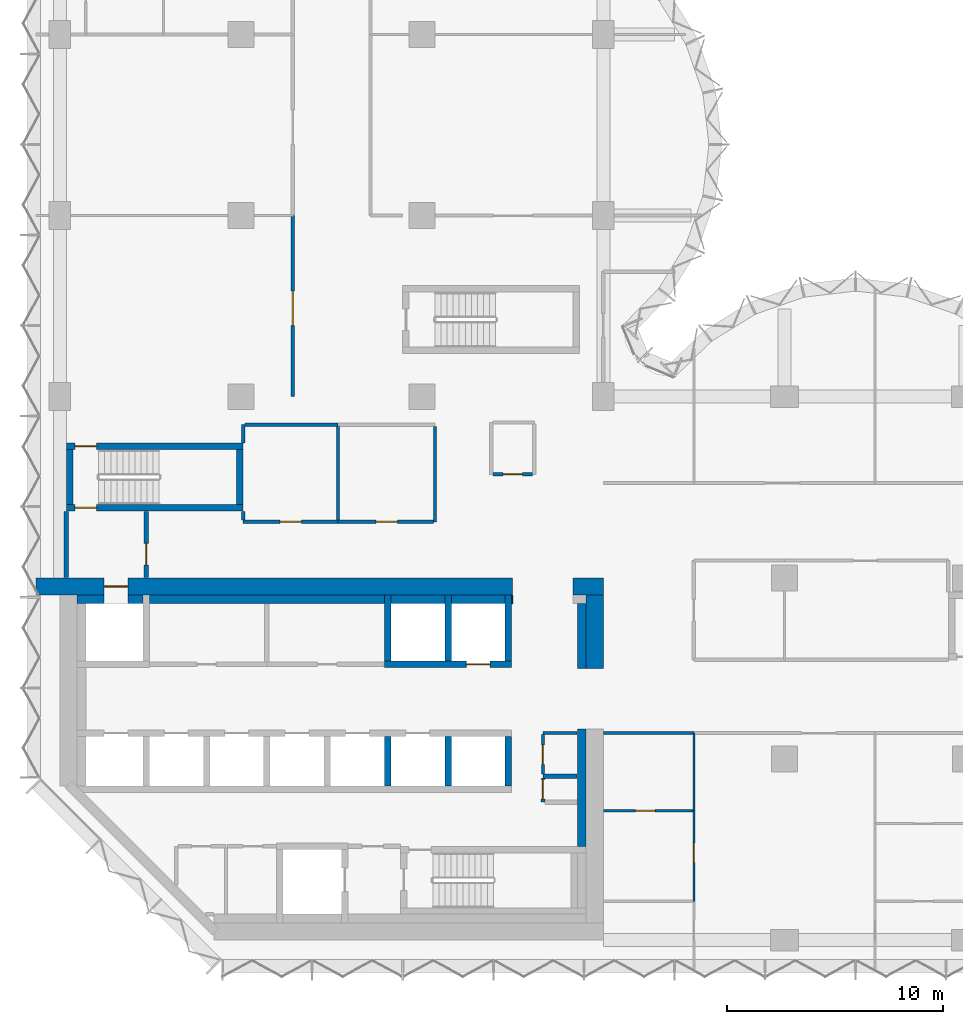
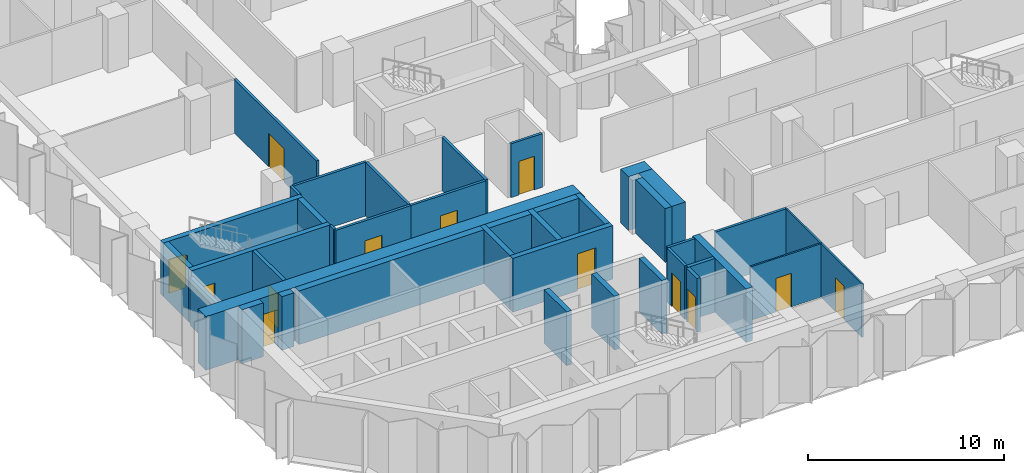
# One storey, part 8 of 13: 41 walls, 13 doors, 13 openings.
"""IFC4 building model written with IfcOpenShell, lengths in metres."""

from ifc_helpers import new_model, si_unit, direction, frame, frame_2d, origin, place, context, subcontext, project, spatial, rectangle, extrude, material, layer, layer_set, type_object, element, fill, save


model = new_model("IFC4")

# Units and contexts
model_context = context("Model", 3, precision=1e-05, world=origin(), true_north=direction((0.0, 1.0)))
body_context = subcontext(model_context, "Body", "Model", "MODEL_VIEW")
ifc_project = project(units=[si_unit("LENGTHUNIT", "METRE"), si_unit("AREAUNIT", "SQUARE_METRE"), si_unit("VOLUMEUNIT", "CUBIC_METRE"), si_unit("PLANEANGLEUNIT", "RADIAN"), si_unit("MASSUNIT", "GRAM", prefix="KILO")], contexts=[model_context])

# Site, building, storey
site_placement = place(None, origin())
site = spatial("IfcSite", under=ifc_project, at=site_placement, CompositionType="ELEMENT")
building_placement = place(site_placement, origin())
building = spatial("IfcBuilding", under=site, at=building_placement, Name="Brevane Broadcast Tower", CompositionType="ELEMENT")
storey_placement = place(building_placement, frame((0.0, 0.0, 109.699951171875)))
storey = spatial("IfcBuildingStorey", under=building, at=storey_placement, Name="L26", CompositionType="ELEMENT", Elevation=109.699951171875)

# Walls
ifc_material_1 = material(Name="Concrete C32/40", Category="concrete")
ifc_layer_1 = layer(ifc_material_1, 0.39990234375)
ifc_layer_set_1 = layer_set([ifc_layer_1], Name="Core chase wall 400 mm")
wall_type_1 = type_object("IfcWallType", Name="Core chase wall 400 mm", PredefinedType="PARTITIONING", material=ifc_layer_set_1)
wall_1_placement = place(storey_placement, frame((24.199951171875, 12.60009765625, 0.0), z_axis=(0.0, 0.0, 1.0), x_axis=(0.0, 1.0, 0.0)))
element("IfcWall", 1, at=wall_1_placement, inside=storey, type_object=wall_type_1, Name="L26 chase wall LE2", PredefinedType="PARTITIONING", context=body_context, shape_type="SweptSolid", body=[
    extrude(rectangle(XDim=3.0, YDim=0.39990234375, at=frame_2d((1.5, 0.0))), origin(), (0.0, 0.0, 1.0), 3.35009765625),
])
wall_2_placement = place(storey_placement, frame((0.800048828125, 15.800048828125, 0.0), z_axis=(0.0, 0.0, 1.0), x_axis=(1.0, 0.0, 0.0)))
element("IfcWall", 2, at=wall_2_placement, inside=storey, type_object=wall_type_1, Name="L26 chase wall LN0", PredefinedType="PARTITIONING", context=body_context, shape_type="SweptSolid", body=[
    extrude(rectangle(XDim=1.25, YDim=0.39990234375, at=frame_2d((0.625, 0.0))), origin(), (0.0, 0.0, 1.0), 3.35009765625),
])
wall_3_placement = place(storey_placement, frame((3.14990234375, 15.800048828125, 0.0), z_axis=(0.0, 0.0, 1.0), x_axis=(1.0, 0.0, 0.0)))
element("IfcWall", 3, at=wall_3_placement, inside=storey, type_object=wall_type_1, Name="L26 chase wall LN1-1", PredefinedType="PARTITIONING", context=body_context, shape_type="SweptSolid", body=[
    extrude(rectangle(XDim=0.7001953125, YDim=0.39990234375, at=frame_2d((0.35009765625, 0.0))), origin(), (0.0, 0.0, 1.0), 3.35009765625),
])
wall_4_placement = place(storey_placement, frame((4.14990234375, 15.800048828125, 0.0), z_axis=(0.0, 0.0, 1.0), x_axis=(1.0, 0.0, 0.0)))
element("IfcWall", 4, at=wall_4_placement, inside=storey, type_object=wall_type_1, Name="L26 chase wall LN1-2-1", PredefinedType="PARTITIONING", context=body_context, shape_type="SweptSolid", body=[
    extrude(rectangle(XDim=10.900146484375, YDim=0.39990234375, at=frame_2d((5.4501953125, 0.0))), origin(), (0.0, 0.0, 1.0), 3.35009765625),
])
for number, where, z_axis, x_axis, name in (
    (5, (15.35009765625, 15.800048828125, 0.0), (0.0, 0.0, 1.0), (1.0, 0.0, 0.0), "L26 chase wall LN1-2-2-1"),
    (6, (18.14990234375, 15.800048828125, 0.0), (0.0, 0.0, 1.0), (1.0, 0.0, 0.0), "L26 chase wall LN1-2-2-2-1"),
):
    element("IfcWall", number, at=place(storey_placement, frame(where, z_axis=z_axis, x_axis=x_axis)), inside=storey, type_object=wall_type_1, Name=name, PredefinedType="PARTITIONING", context=body_context, shape_type="SweptSolid", body=[
        extrude(rectangle(XDim=2.5, YDim=0.39990234375, at=frame_2d((1.25, 0.0))), origin(), (0.0, 0.0, 1.0), 3.35009765625),
    ])
wall_5_placement = place(storey_placement, frame((20.949951171875, 15.800048828125, 0.0), z_axis=(0.0, 0.0, 1.0), x_axis=(1.0, 0.0, 0.0)))
element("IfcWall", 7, at=wall_5_placement, inside=storey, type_object=wall_type_1, Name="L26 chase wall LN1-2-2-2-2", PredefinedType="PARTITIONING", context=body_context, shape_type="SweptSolid", body=[
    extrude(rectangle(XDim=0.050048828125, YDim=0.39990234375, at=frame_2d((0.02490234375, 0.0))), origin(), (0.0, 0.0, 1.0), 3.35009765625),
])
wall_6_placement = place(storey_placement, frame((24.199951171875, 4.35009765625, 0.0), z_axis=(0.0, 0.0, 1.0), x_axis=(0.0, 1.0, 0.0)))
element("IfcWall", 8, at=wall_6_placement, inside=storey, type_object=wall_type_1, Name="L26 chase wall LE1-2-2", PredefinedType="PARTITIONING", context=body_context, shape_type="SweptSolid", body=[
    extrude(rectangle(XDim=5.449951171875, YDim=0.39990234375, at=frame_2d((2.72509765625, 0.0))), origin(), (0.0, 0.0, 1.0), 3.35009765625),
])

# Wall, opening, door
ifc_material_2 = material(Name="Gypsum board on steel studs", Category="steel")
ifc_layer_2 = layer(ifc_material_2, 0.14990234375)
ifc_layer_set_2 = layer_set([ifc_layer_2], Name="Core fire partition 150 mm")
wall_type_2 = type_object("IfcWallType", Name="Core fire partition 150 mm", PredefinedType="PARTITIONING", material=ifc_layer_set_2)
wall_7_placement = place(storey_placement, frame((12.89990234375, 19.39990234375, 0.0), z_axis=(0.0, 0.0, 1.0), x_axis=(-1.0, 0.0, 0.0)))
wall_7 = element("IfcWall", 9, at=wall_7_placement, inside=storey, type_object=wall_type_2, Name="L26 partition wall P15", PredefinedType="PARTITIONING", context=body_context, shape_type="SweptSolid", body=[
    extrude(rectangle(XDim=4.39990234375, YDim=0.14990234375, at=frame_2d((2.199951171875, 0.0))), origin(), (0.0, 0.0, 1.0), 3.35009765625),
])
opening_1_placement = place(wall_7_placement, frame((1.699951171875, 0.0, 0.0)))
opening_1 = element("IfcOpeningElement", 10, at=opening_1_placement, cuts=wall_7, Name="Opening L26-K25", PredefinedType="OPENING", context=body_context, shape_type="SweptSolid", body=[
    extrude(rectangle(XDim=1.0, YDim=2.10009765625, at=frame_2d((0.5, 1.050048828125))), frame((0.0, 0.0849609375, 0.0), z_axis=(0.0, -1.0, 0.0), x_axis=(1.0, 0.0, 0.0)), (0.0, 0.0, 1.0), 0.169921875),
])
ifc_material_3 = material(Name="Steel", Category="steel")
door_type_1 = type_object("IfcDoorType", Name="Service room door 1000 x 2100", OperationType="SINGLE_SWING_LEFT", PredefinedType="DOOR", material=ifc_material_3)
door_1_placement = place(opening_1_placement, origin())
door_1 = element("IfcDoor", 11, at=door_1_placement, inside=storey, type_object=door_type_1, Name="Door L26-K25", OperationType="SINGLE_SWING_LEFT", OverallHeight=2.10009765625, OverallWidth=1.0, PredefinedType="DOOR", context=body_context, shape_type="SweptSolid", body=[
    extrude(rectangle(XDim=1.0, YDim=2.10009765625, at=frame_2d((0.5, 1.050048828125))), frame((0.0, 0.02490234375, 0.0), z_axis=(0.0, -1.0, 0.0), x_axis=(1.0, 0.0, 0.0)), (0.0, 0.0, 1.0), 0.050048828125),
])
fill(opening_1, door_1)

# Walls
wall_8_placement = place(storey_placement, frame((8.5, 19.47509765625, 0.0), z_axis=(0.0, 0.0, 1.0), x_axis=(0.0, 1.0, 0.0)))
element("IfcWall", 12, at=wall_8_placement, inside=storey, type_object=wall_type_2, Name="L26 partition wall P16", PredefinedType="PARTITIONING", context=body_context, shape_type="SweptSolid", body=[
    extrude(rectangle(XDim=0.412841796875, YDim=0.14990234375, at=frame_2d((0.20654296875, 0.0))), origin(), (0.0, 0.0, 1.0), 3.35009765625),
])
wall_9_placement = place(storey_placement, frame((8.5, 23.06201171875, 0.0), z_axis=(0.0, 0.0, 1.0), x_axis=(0.0, 1.0, 0.0)))
element("IfcWall", 13, at=wall_9_placement, inside=storey, type_object=wall_type_2, Name="L26 partition wall P17", PredefinedType="PARTITIONING", context=body_context, shape_type="SweptSolid", body=[
    extrude(rectangle(XDim=0.837890625, YDim=0.14990234375, at=frame_2d((0.4189453125, 0.0))), origin(), (0.0, 0.0, 1.0), 3.35009765625),
])
wall_10_placement = place(storey_placement, frame((8.574951171875, 23.89990234375, 0.0), z_axis=(0.0, 0.0, 1.0), x_axis=(1.0, 0.0, 0.0)))
element("IfcWall", 14, at=wall_10_placement, inside=storey, type_object=wall_type_2, Name="L26 partition wall P18", PredefinedType="PARTITIONING", context=body_context, shape_type="SweptSolid", body=[
    extrude(rectangle(XDim=4.324951171875, YDim=0.14990234375, at=frame_2d((2.16259765625, 0.0))), origin(), (0.0, 0.0, 1.0), 3.35009765625),
])
wall_11_placement = place(storey_placement, frame((17.39990234375, 23.824951171875, 0.0), z_axis=(0.0, 0.0, 1.0), x_axis=(0.0, -1.0, 0.0)))
element("IfcWall", 15, at=wall_11_placement, inside=storey, type_object=wall_type_2, Name="L26 partition wall P20", PredefinedType="PARTITIONING", context=body_context, shape_type="SweptSolid", body=[
    extrude(rectangle(XDim=4.425048828125, YDim=0.14990234375, at=frame_2d((2.21240234375, 0.0))), origin(), (0.0, 0.0, 1.0), 3.35009765625),
])

# Wall, opening, door
wall_12_placement = place(storey_placement, frame((17.324951171875, 19.39990234375, 0.0), z_axis=(0.0, 0.0, 1.0), x_axis=(-1.0, 0.0, 0.0)))
wall_12 = element("IfcWall", 16, at=wall_12_placement, inside=storey, type_object=wall_type_2, Name="L26 partition wall P21", PredefinedType="PARTITIONING", context=body_context, shape_type="SweptSolid", body=[
    extrude(rectangle(XDim=4.425048828125, YDim=0.14990234375, at=frame_2d((2.21240234375, 0.0))), origin(), (0.0, 0.0, 1.0), 3.35009765625),
])
opening_2_placement = place(wall_12_placement, frame((1.675048828125, 0.0, 0.0)))
opening_2 = element("IfcOpeningElement", 17, at=opening_2_placement, cuts=wall_12, Name="Opening L26-K26", PredefinedType="OPENING", context=body_context, shape_type="SweptSolid", body=[
    extrude(rectangle(XDim=1.0, YDim=2.10009765625, at=frame_2d((0.5, 1.050048828125))), frame((0.0, 0.0849609375, 0.0), z_axis=(0.0, -1.0, 0.0), x_axis=(1.0, 0.0, 0.0)), (0.0, 0.0, 1.0), 0.169921875),
])
door_2_placement = place(opening_2_placement, origin())
door_2 = element("IfcDoor", 18, at=door_2_placement, inside=storey, type_object=door_type_1, Name="Door L26-K26", OperationType="SINGLE_SWING_RIGHT", OverallHeight=2.10009765625, OverallWidth=1.0, PredefinedType="DOOR", context=body_context, shape_type="SweptSolid", body=[
    extrude(rectangle(XDim=1.0, YDim=2.10009765625, at=frame_2d((0.5, 1.050048828125))), frame((0.0, 0.02490234375, 0.0), z_axis=(0.0, -1.0, 0.0), x_axis=(1.0, 0.0, 0.0)), (0.0, 0.0, 1.0), 0.050048828125),
])
fill(opening_2, door_2)

# Walls
wall_13_placement = place(storey_placement, frame((12.89990234375, 23.824951171875, 0.0), z_axis=(0.0, 0.0, 1.0), x_axis=(0.0, -1.0, 0.0)))
element("IfcWall", 19, at=wall_13_placement, inside=storey, type_object=wall_type_2, Name="L26 partition wall P22", PredefinedType="PARTITIONING", context=body_context, shape_type="SweptSolid", body=[
    extrude(rectangle(XDim=4.349853515625, YDim=0.14990234375, at=frame_2d((2.1748046875, 0.0))), origin(), (0.0, 0.0, 1.0), 3.35009765625),
])
wall_14_placement = place(storey_placement, frame((23.988037109375, 9.60009765625, 0.0), z_axis=(0.0, 0.0, 1.0), x_axis=(-1.0, 0.0, 0.0)))
element("IfcWall", 20, at=wall_14_placement, inside=storey, type_object=wall_type_2, Name="L26 partition wall P23", PredefinedType="PARTITIONING", context=body_context, shape_type="SweptSolid", body=[
    extrude(rectangle(XDim=1.588134765625, YDim=0.14990234375, at=frame_2d((0.7939453125, 0.0))), origin(), (0.0, 0.0, 1.0), 3.35009765625),
])

# Wall, opening, door
wall_15_placement = place(storey_placement, frame((22.39990234375, 9.52490234375, 0.0), z_axis=(0.0, 0.0, 1.0), x_axis=(0.0, -1.0, 0.0)))
wall_15 = element("IfcWall", 21, at=wall_15_placement, inside=storey, type_object=wall_type_2, Name="L26 partition wall P24", PredefinedType="PARTITIONING", context=body_context, shape_type="SweptSolid", body=[
    extrude(rectangle(XDim=1.824951171875, YDim=0.14990234375, at=frame_2d((0.91259765625, 0.0))), origin(), (0.0, 0.0, 1.0), 3.35009765625),
])
opening_3_placement = place(wall_15_placement, frame((0.47509765625, 0.0, 0.0)))
opening_3 = element("IfcOpeningElement", 22, at=opening_3_placement, cuts=wall_15, Name="Opening L26-K20", PredefinedType="OPENING", context=body_context, shape_type="SweptSolid", body=[
    extrude(rectangle(XDim=0.89990234375, YDim=2.10009765625, at=frame_2d((0.449951171875, 1.050048828125))), frame((0.0, 0.0849609375, 0.0), z_axis=(0.0, -1.0, 0.0), x_axis=(1.0, 0.0, 0.0)), (0.0, 0.0, 1.0), 0.169921875),
])
door_type_2 = type_object("IfcDoorType", Name="Service room door 900 x 2100", OperationType="SINGLE_SWING_LEFT", PredefinedType="DOOR", material=ifc_material_3)
door_3_placement = place(opening_3_placement, origin())
door_3 = element("IfcDoor", 23, at=door_3_placement, inside=storey, type_object=door_type_2, Name="Door L26-K20", OperationType="SINGLE_SWING_RIGHT", OverallHeight=2.10009765625, OverallWidth=0.89990234375, PredefinedType="DOOR", context=body_context, shape_type="SweptSolid", body=[
    extrude(rectangle(XDim=0.89990234375, YDim=2.10009765625, at=frame_2d((0.449951171875, 1.050048828125))), frame((0.0, 0.02490234375, 0.0), z_axis=(0.0, -1.0, 0.0), x_axis=(1.0, 0.0, 0.0)), (0.0, 0.0, 1.0), 0.050048828125),
])
fill(opening_3, door_3)

wall_16_placement = place(storey_placement, frame((21.925048828125, 21.60009765625, 0.0), z_axis=(0.0, 0.0, 1.0), x_axis=(-1.0, 0.0, 0.0)))
wall_16 = element("IfcWall", 24, at=wall_16_placement, inside=storey, type_object=wall_type_2, Name="L26 partition wall P28", PredefinedType="PARTITIONING", context=body_context, shape_type="SweptSolid", body=[
    extrude(rectangle(XDim=1.85009765625, YDim=0.14990234375, at=frame_2d((0.925048828125, 0.0))), origin(), (0.0, 0.0, 1.0), 3.35009765625),
])
opening_4_placement = place(wall_16_placement, frame((0.47509765625, 0.0, 0.0)))
opening_4 = element("IfcOpeningElement", 25, at=opening_4_placement, cuts=wall_16, Name="Opening L26-K24", PredefinedType="OPENING", context=body_context, shape_type="SweptSolid", body=[
    extrude(rectangle(XDim=0.89990234375, YDim=2.10009765625, at=frame_2d((0.449951171875, 1.050048828125))), frame((0.0, 0.0849609375, 0.0), z_axis=(0.0, -1.0, 0.0), x_axis=(1.0, 0.0, 0.0)), (0.0, 0.0, 1.0), 0.169921875),
])
ifc_material_4 = material(Name="Timber", Category="wood")
door_type_3 = type_object("IfcDoorType", Name="Toilet door 900 x 2100", OperationType="SINGLE_SWING_LEFT", PredefinedType="DOOR", material=ifc_material_4)
door_4_placement = place(opening_4_placement, origin())
door_4 = element("IfcDoor", 26, at=door_4_placement, inside=storey, type_object=door_type_3, Name="Door L26-K24", OperationType="SINGLE_SWING_RIGHT", OverallHeight=2.10009765625, OverallWidth=0.89990234375, PredefinedType="DOOR", context=body_context, shape_type="SweptSolid", body=[
    extrude(rectangle(XDim=0.89990234375, YDim=2.10009765625, at=frame_2d((0.449951171875, 1.050048828125))), frame((0.0, 0.02490234375, 0.0), z_axis=(0.0, -1.0, 0.0), x_axis=(1.0, 0.0, 0.0)), (0.0, 0.0, 1.0), 0.050048828125),
])
fill(opening_4, door_4)

# Wall
ifc_layer_3 = layer(ifc_material_2, 0.199951171875)
ifc_layer_set_3 = layer_set([ifc_layer_3], Name="Core fire partition 200 mm")
wall_type_3 = type_object("IfcWallType", Name="Core fire partition 200 mm", PredefinedType="PARTITIONING", material=ifc_layer_set_3)
wall_17_placement = place(storey_placement, frame((0.300048828125, 16.81201171875, 0.0), z_axis=(0.0, 0.0, 1.0), x_axis=(0.0, 1.0, 0.0)))
element("IfcWall", 27, at=wall_17_placement, inside=storey, type_object=wall_type_3, Name="L26 partition wall P01", PredefinedType="PARTITIONING", context=body_context, shape_type="SweptSolid", body=[
    extrude(rectangle(XDim=3.075927734375, YDim=0.199951171875, at=frame_2d((1.5380859375, 0.0))), origin(), (0.0, 0.0, 1.0), 2.97998046875),
])

# Wall, opening, door
wall_18_placement = place(storey_placement, frame((4.0, 19.887939453125, 0.0), z_axis=(0.0, 0.0, 1.0), x_axis=(0.0, -1.0, 0.0)))
wall_18 = element("IfcWall", 28, at=wall_18_placement, inside=storey, type_object=wall_type_3, Name="L26 partition wall P02", PredefinedType="PARTITIONING", context=body_context, shape_type="SweptSolid", body=[
    extrude(rectangle(XDim=3.075927734375, YDim=0.199951171875, at=frame_2d((1.5380859375, 0.0))), origin(), (0.0, 0.0, 1.0), 3.35009765625),
])
opening_5_placement = place(wall_18_placement, frame((1.488037109375, 0.0, 0.0)))
opening_5 = element("IfcOpeningElement", 29, at=opening_5_placement, cuts=wall_18, Name="Opening L26-K23", PredefinedType="OPENING", context=body_context, shape_type="SweptSolid", body=[
    extrude(rectangle(XDim=1.0, YDim=2.10009765625, at=frame_2d((0.5, 1.050048828125))), frame((0.0, 0.10986328125, 0.0), z_axis=(0.0, -1.0, 0.0), x_axis=(1.0, 0.0, 0.0)), (0.0, 0.0, 1.0), 0.219970703125),
])
door_type_4 = type_object("IfcDoorType", Name="Stair door 1000 x 2100", OperationType="SINGLE_SWING_LEFT", PredefinedType="DOOR", material=ifc_material_3)
door_5_placement = place(opening_5_placement, origin())
door_5 = element("IfcDoor", 30, at=door_5_placement, inside=storey, type_object=door_type_4, Name="Door L26-K23", OperationType="SINGLE_SWING_LEFT", OverallHeight=2.10009765625, OverallWidth=1.0, PredefinedType="DOOR", context=body_context, shape_type="SweptSolid", body=[
    extrude(rectangle(XDim=1.0, YDim=2.10009765625, at=frame_2d((0.5, 1.050048828125))), frame((0.0, 0.02490234375, 0.0), z_axis=(0.0, -1.0, 0.0), x_axis=(1.0, 0.0, 0.0)), (0.0, 0.0, 1.0), 0.050048828125),
])
fill(opening_5, door_5)

# Wall
wall_19_placement = place(storey_placement, frame((23.988037109375, 7.60009765625, 0.0), z_axis=(0.0, 0.0, 1.0), x_axis=(-1.0, 0.0, 0.0)))
element("IfcWall", 31, at=wall_19_placement, inside=storey, type_object=wall_type_3, Name="L26 partition wall P07", PredefinedType="PARTITIONING", context=body_context, shape_type="SweptSolid", body=[
    extrude(rectangle(XDim=1.588134765625, YDim=0.199951171875, at=frame_2d((0.7939453125, 0.0))), origin(), (0.0, 0.0, 1.0), 3.35009765625),
])

# Wall, opening, door
wall_20_placement = place(storey_placement, frame((22.39990234375, 7.5, 0.0), z_axis=(0.0, 0.0, 1.0), x_axis=(0.0, -1.0, 0.0)))
wall_20 = element("IfcWall", 32, at=wall_20_placement, inside=storey, type_object=wall_type_3, Name="L26 partition wall P08", PredefinedType="PARTITIONING", context=body_context, shape_type="SweptSolid", body=[
    extrude(rectangle(XDim=1.10009765625, YDim=0.199951171875, at=frame_2d((0.550048828125, 0.0))), origin(), (0.0, 0.0, 1.0), 3.35009765625),
])
opening_6_placement = place(wall_20_placement, frame((0.050048828125, 0.0, 0.0)))
opening_6 = element("IfcOpeningElement", 33, at=opening_6_placement, cuts=wall_20, Name="Opening L26-K19", PredefinedType="OPENING", context=body_context, shape_type="SweptSolid", body=[
    extrude(rectangle(XDim=0.89990234375, YDim=2.10009765625, at=frame_2d((0.449951171875, 1.050048828125))), frame((0.0, 0.10986328125, 0.0), z_axis=(0.0, -1.0, 0.0), x_axis=(1.0, 0.0, 0.0)), (0.0, 0.0, 1.0), 0.219970703125),
])
door_6_placement = place(opening_6_placement, origin())
door_6 = element("IfcDoor", 34, at=door_6_placement, inside=storey, type_object=door_type_2, Name="Door L26-K19", OperationType="SINGLE_SWING_LEFT", OverallHeight=2.10009765625, OverallWidth=0.89990234375, PredefinedType="DOOR", context=body_context, shape_type="SweptSolid", body=[
    extrude(rectangle(XDim=0.89990234375, YDim=2.10009765625, at=frame_2d((0.449951171875, 1.050048828125))), frame((0.0, 0.02490234375, 0.0), z_axis=(0.0, -1.0, 0.0), x_axis=(1.0, 0.0, 0.0)), (0.0, 0.0, 1.0), 0.050048828125),
])
fill(opening_6, door_6)

# Walls
ifc_material_5 = material(Name="Concrete C60/75", Category="concrete")
ifc_layer_4 = layer(ifc_material_5, 0.300048828125)
ifc_layer_set_4 = layer_set([ifc_layer_4], Name="Core wall 300 mm C60/75")
wall_type_4 = type_object("IfcWallType", Name="Core wall 300 mm C60/75", PredefinedType="SHEAR", material=ifc_layer_set_4)
for number, where, z_axis, x_axis, name in (
    (35, (15.199951171875, 7.14990234375, 0.0), (0.0, 0.0, 1.0), (0.0, 1.0, 0.0), "L26 shaft wall SH-S-P152"),
    (36, (18.0, 7.14990234375, 0.0), (0.0, 0.0, 1.0), (0.0, 1.0, 0.0), "L26 shaft wall SH-S-P180"),
    (37, (20.800048828125, 7.14990234375, 0.0), (0.0, 0.0, 1.0), (0.0, 1.0, 0.0), "L26 shaft wall SH-S-P208"),
):
    element("IfcWall", number, at=place(storey_placement, frame(where, z_axis=z_axis, x_axis=x_axis)), inside=storey, type_object=wall_type_4, Name=name, PredefinedType="SHEAR", context=body_context, shape_type="SweptSolid", body=[
        extrude(rectangle(XDim=2.300048828125, YDim=0.300048828125, at=frame_2d((1.14990234375, 0.0))), origin(), (0.0, 0.0, 1.0), 3.35009765625),
    ])

# Wall, opening, door
wall_21_placement = place(storey_placement, frame((15.050048828125, 12.800048828125, 0.0), z_axis=(0.0, 0.0, 1.0), x_axis=(1.0, 0.0, 0.0)))
wall_21 = element("IfcWall", 38, at=wall_21_placement, inside=storey, type_object=wall_type_4, Name="L26 shaft wall SH-N152-front", PredefinedType="SHEAR", context=body_context, shape_type="SweptSolid", body=[
    extrude(rectangle(XDim=5.89990234375, YDim=0.300048828125, at=frame_2d((2.949951171875, 0.0))), origin(), (0.0, 0.0, 1.0), 3.35009765625),
])
opening_7_placement = place(wall_21_placement, frame((3.800048828125, 0.0, 0.0)))
opening_7 = element("IfcOpeningElement", 39, at=opening_7_placement, cuts=wall_21, Name="Opening LD", PredefinedType="OPENING", context=body_context, shape_type="SweptSolid", body=[
    extrude(rectangle(XDim=1.10009765625, YDim=2.300048828125, at=frame_2d((0.550048828125, 1.14990234375))), frame((0.0, 0.159912109375, 0.0), z_axis=(0.0, -1.0, 0.0), x_axis=(1.0, 0.0, 0.0)), (0.0, 0.0, 1.0), 0.320068359375),
])
ifc_material_6 = material(Name="Stainless steel", Category="steel")
door_type_5 = type_object("IfcDoorType", Name="Lift landing door", OperationType="SLIDING_TO_LEFT", PredefinedType="DOOR", material=ifc_material_6)
door_7_placement = place(opening_7_placement, origin())
door_7 = element("IfcDoor", 40, at=door_7_placement, inside=storey, type_object=door_type_5, Name="Landing door SL1 L26", OperationType="SLIDING_TO_LEFT", OverallHeight=2.300048828125, OverallWidth=1.10009765625, PredefinedType="DOOR", context=body_context, shape_type="SweptSolid", body=[
    extrude(rectangle(XDim=1.10009765625, YDim=2.300048828125, at=frame_2d((0.550048828125, 1.14990234375))), frame((0.0, 0.02490234375, 0.0), z_axis=(0.0, -1.0, 0.0), x_axis=(1.0, 0.0, 0.0)), (0.0, 0.0, 1.0), 0.050048828125),
])
fill(opening_7, door_7)

# Walls
for number, where, z_axis, x_axis, name in (
    (41, (15.199951171875, 12.949951171875, 0.0), (0.0, 0.0, 1.0), (0.0, 1.0, 0.0), "L26 shaft wall SH-N-P152"),
    (42, (18.0, 12.949951171875, 0.0), (0.0, 0.0, 1.0), (0.0, 1.0, 0.0), "L26 shaft wall SH-N-P180"),
    (43, (20.800048828125, 12.949951171875, 0.0), (0.0, 0.0, 1.0), (0.0, 1.0, 0.0), "L26 shaft wall SH-N-P208"),
):
    element("IfcWall", number, at=place(storey_placement, frame(where, z_axis=z_axis, x_axis=x_axis)), inside=storey, type_object=wall_type_4, Name=name, PredefinedType="SHEAR", context=body_context, shape_type="SweptSolid", body=[
        extrude(rectangle(XDim=3.050048828125, YDim=0.300048828125, at=frame_2d((1.52490234375, 0.0))), origin(), (0.0, 0.0, 1.0), 3.35009765625),
    ])

# Wall, opening, door
wall_22_placement = place(storey_placement, frame((8.5, 20.050048828125, 0.0), z_axis=(0.0, 0.0, 1.0), x_axis=(-1.0, 0.0, 0.0)))
wall_22 = element("IfcWall", 44, at=wall_22_placement, inside=storey, type_object=wall_type_4, Name="L26 stair wall ST-1-S", PredefinedType="SHEAR", context=body_context, shape_type="SweptSolid", body=[
    extrude(rectangle(XDim=8.199951171875, YDim=0.300048828125, at=frame_2d((4.10009765625, 0.0))), origin(), (0.0, 0.0, 1.0), 3.35009765625),
])
opening_8_placement = place(wall_22_placement, frame((6.800048828125, 0.0, 0.0)))
opening_8 = element("IfcOpeningElement", 45, at=opening_8_placement, cuts=wall_22, Name="Opening L26-K10", PredefinedType="OPENING", context=body_context, shape_type="SweptSolid", body=[
    extrude(rectangle(XDim=1.0, YDim=2.10009765625, at=frame_2d((0.5, 1.050048828125))), frame((0.0, 0.159912109375, 0.0), z_axis=(0.0, -1.0, 0.0), x_axis=(1.0, 0.0, 0.0)), (0.0, 0.0, 1.0), 0.320068359375),
])
door_8_placement = place(opening_8_placement, origin())
door_8 = element("IfcDoor", 46, at=door_8_placement, inside=storey, type_object=door_type_4, Name="Door L26-K10", OperationType="SINGLE_SWING_RIGHT", OverallHeight=2.10009765625, OverallWidth=1.0, PredefinedType="DOOR", context=body_context, shape_type="SweptSolid", body=[
    extrude(rectangle(XDim=1.0, YDim=2.10009765625, at=frame_2d((0.5, 1.050048828125))), frame((0.0, 0.02490234375, 0.0), z_axis=(0.0, -1.0, 0.0), x_axis=(1.0, 0.0, 0.0)), (0.0, 0.0, 1.0), 0.050048828125),
])
fill(opening_8, door_8)

wall_23_placement = place(storey_placement, frame((0.300048828125, 22.89990234375, 0.0), z_axis=(0.0, 0.0, 1.0), x_axis=(1.0, 0.0, 0.0)))
wall_23 = element("IfcWall", 47, at=wall_23_placement, inside=storey, type_object=wall_type_4, Name="L26 stair wall ST-1-N", PredefinedType="SHEAR", context=body_context, shape_type="SweptSolid", body=[
    extrude(rectangle(XDim=8.199951171875, YDim=0.300048828125, at=frame_2d((4.10009765625, 0.0))), origin(), (0.0, 0.0, 1.0), 3.35009765625),
])
opening_9_placement = place(wall_23_placement, frame((0.39990234375, 0.0, 0.0)))
opening_9 = element("IfcOpeningElement", 48, at=opening_9_placement, cuts=wall_23, Name="Opening L26-K11", PredefinedType="OPENING", context=body_context, shape_type="SweptSolid", body=[
    extrude(rectangle(XDim=1.0, YDim=2.10009765625, at=frame_2d((0.5, 1.050048828125))), frame((0.0, 0.159912109375, 0.0), z_axis=(0.0, -1.0, 0.0), x_axis=(1.0, 0.0, 0.0)), (0.0, 0.0, 1.0), 0.320068359375),
])
door_9_placement = place(opening_9_placement, origin())
door_9 = element("IfcDoor", 49, at=door_9_placement, inside=storey, type_object=door_type_4, Name="Door L26-K11", OperationType="SINGLE_SWING_LEFT", OverallHeight=2.10009765625, OverallWidth=1.0, PredefinedType="DOOR", context=body_context, shape_type="SweptSolid", body=[
    extrude(rectangle(XDim=1.0, YDim=2.10009765625, at=frame_2d((0.5, 1.050048828125))), frame((0.0, 0.02490234375, 0.0), z_axis=(0.0, -1.0, 0.0), x_axis=(1.0, 0.0, 0.0)), (0.0, 0.0, 1.0), 0.050048828125),
])
fill(opening_9, door_9)

# Walls
for number, where, z_axis, x_axis, name in (
    (50, (0.449951171875, 20.199951171875, 0.0), (0.0, 0.0, 1.0), (0.0, 1.0, 0.0), "L26 stair wall ST-1-W"),
    (51, (8.35009765625, 20.199951171875, 0.0), (0.0, 0.0, 1.0), (0.0, 1.0, 0.0), "L26 stair wall ST-1-E"),
):
    element("IfcWall", number, at=place(storey_placement, frame(where, z_axis=z_axis, x_axis=x_axis)), inside=storey, type_object=wall_type_4, Name=name, PredefinedType="SHEAR", context=body_context, shape_type="SweptSolid", body=[
        extrude(rectangle(XDim=2.550048828125, YDim=0.300048828125, at=frame_2d((1.27490234375, 0.0))), origin(), (0.0, 0.0, 1.0), 3.35009765625),
    ])

# Wall, opening, door
ifc_layer_5 = layer(ifc_material_5, 0.800048828125)
ifc_layer_set_5 = layer_set([ifc_layer_5], Name="Core wall 800 mm C60/75")
wall_type_5 = type_object("IfcWallType", Name="Core wall 800 mm C60/75", PredefinedType="SHEAR", material=ifc_layer_set_5)
wall_24_placement = place(storey_placement, frame((-1.10009765625, 16.39990234375, 0.0), z_axis=(0.0, 0.0, 1.0), x_axis=(1.0, 0.0, 0.0)))
wall_24 = element("IfcWall", 52, at=wall_24_placement, inside=storey, type_object=wall_type_5, Name="L26 outer wall WN1", PredefinedType="SHEAR", context=body_context, shape_type="SweptSolid", body=[
    extrude(rectangle(XDim=22.10009765625, YDim=0.800048828125, at=frame_2d((11.050048828125, 0.0))), origin(), (0.0, 0.0, 1.0), 3.35009765625),
])
opening_10_placement = place(wall_24_placement, frame((3.14990234375, 0.0, 0.0)))
opening_10 = element("IfcOpeningElement", 53, at=opening_10_placement, cuts=wall_24, Name="Opening LD", PredefinedType="OPENING", context=body_context, shape_type="SweptSolid", body=[
    extrude(rectangle(XDim=1.10009765625, YDim=2.300048828125, at=frame_2d((0.550048828125, 1.14990234375))), frame((0.0, 0.409912109375, 0.0), z_axis=(0.0, -1.0, 0.0), x_axis=(1.0, 0.0, 0.0)), (0.0, 0.0, 1.0), 0.820068359375),
])
door_10_placement = place(opening_10_placement, origin())
door_10 = element("IfcDoor", 54, at=door_10_placement, inside=storey, type_object=door_type_5, Name="Landing door FF1 L26", OperationType="SLIDING_TO_LEFT", OverallHeight=2.300048828125, OverallWidth=1.10009765625, PredefinedType="DOOR", context=body_context, shape_type="SweptSolid", body=[
    extrude(rectangle(XDim=1.10009765625, YDim=2.300048828125, at=frame_2d((0.550048828125, 1.14990234375))), frame((0.0, 0.02490234375, 0.0), z_axis=(0.0, -1.0, 0.0), x_axis=(1.0, 0.0, 0.0)), (0.0, 0.0, 1.0), 0.050048828125),
])
fill(opening_10, door_10)

# Walls
wall_25_placement = place(storey_placement, frame((23.800048828125, 16.39990234375, 0.0), z_axis=(0.0, 0.0, 1.0), x_axis=(1.0, 0.0, 0.0)))
element("IfcWall", 55, at=wall_25_placement, inside=storey, type_object=wall_type_5, Name="L26 outer wall WN2", PredefinedType="SHEAR", context=body_context, shape_type="SweptSolid", body=[
    extrude(rectangle(XDim=1.39990234375, YDim=0.800048828125, at=frame_2d((0.699951171875, 0.0))), origin(), (0.0, 0.0, 1.0), 3.35009765625),
])
wall_26_placement = place(storey_placement, frame((24.800048828125, 12.60009765625, 0.0), z_axis=(0.0, 0.0, 1.0), x_axis=(0.0, 1.0, 0.0)))
element("IfcWall", 56, at=wall_26_placement, inside=storey, type_object=wall_type_5, Name="L26 outer wall WE2", PredefinedType="SHEAR", context=body_context, shape_type="SweptSolid", body=[
    extrude(rectangle(XDim=3.39990234375, YDim=0.800048828125, at=frame_2d((1.699951171875, 0.0))), origin(), (0.0, 0.0, 1.0), 3.35009765625),
])

# Wall, opening, door
ifc_material_7 = material(Name="Gypsum board partition")
ifc_layer_6 = layer(ifc_material_7, 0.10009765625)
ifc_layer_set_6 = layer_set([ifc_layer_6], Name="PARTITION 100 STUD")
wall_type_6 = type_object("IfcWallType", Name="PARTITION 100 STUD", PredefinedType="PARTITIONING", material=ifc_layer_set_6)
wall_27_placement = place(storey_placement, frame((29.39990234375, 1.800048828125, 0.0), z_axis=(0.0, 0.0, 1.0), x_axis=(0.0, 1.0, 0.0)))
wall_27 = element("IfcWall", 57, at=wall_27_placement, inside=storey, type_object=wall_type_6, Name="Partition G07-032", PredefinedType="PARTITIONING", context=body_context, shape_type="SweptSolid", body=[
    extrude(rectangle(XDim=4.199951171875, YDim=0.10009765625, at=frame_2d((2.10009765625, 0.0))), origin(), (0.0, 0.0, 1.0), 3.330078125),
])
opening_11_placement = place(wall_27_placement, frame((1.800048828125, 0.0, 0.0)))
opening_11 = element("IfcOpeningElement", 58, at=opening_11_placement, cuts=wall_27, Name="Opening D14-011", PredefinedType="OPENING", context=body_context, shape_type="SweptSolid", body=[
    extrude(rectangle(XDim=0.89990234375, YDim=2.10009765625, at=frame_2d((0.449951171875, 1.050048828125))), frame((0.0, 0.06005859375, 0.0), z_axis=(0.0, -1.0, 0.0), x_axis=(1.0, 0.0, 0.0)), (0.0, 0.0, 1.0), 0.1201171875),
])
ifc_material_8 = material(Name="Timber door leaf", Category="wood")
door_type_6 = type_object("IfcDoorType", Name="DOOR SINGLE 900 INTERNAL", OperationType="SINGLE_SWING_LEFT", PredefinedType="DOOR", material=ifc_material_8)
door_11_placement = place(opening_11_placement, origin())
door_11 = element("IfcDoor", 59, at=door_11_placement, inside=storey, type_object=door_type_6, Name="Door D14-011", OperationType="SINGLE_SWING_LEFT", OverallHeight=2.10009765625, OverallWidth=0.89990234375, PredefinedType="DOOR", context=body_context, shape_type="SweptSolid", body=[
    extrude(rectangle(XDim=0.89990234375, YDim=2.10009765625, at=frame_2d((0.449951171875, 1.050048828125))), frame((0.0, 0.02490234375, 0.0), z_axis=(0.0, -1.0, 0.0), x_axis=(1.0, 0.0, 0.0)), (0.0, 0.0, 1.0), 0.050048828125),
])
fill(opening_11, door_11)

# Wall
wall_28_placement = place(storey_placement, frame((29.39990234375, 6.0, 0.0), z_axis=(0.0, 0.0, 1.0), x_axis=(0.0, 1.0, 0.0)))
element("IfcWall", 60, at=wall_28_placement, inside=storey, type_object=wall_type_6, Name="Partition G07-033", PredefinedType="PARTITIONING", context=body_context, shape_type="SweptSolid", body=[
    extrude(rectangle(XDim=3.60009765625, YDim=0.10009765625, at=frame_2d((1.800048828125, 0.0))), origin(), (0.0, 0.0, 1.0), 3.330078125),
])

# Wall, opening, door
wall_29_placement = place(storey_placement, frame((25.199951171875, 6.0, 0.0), z_axis=(0.0, 0.0, 1.0), x_axis=(1.0, 0.0, 0.0)))
wall_29 = element("IfcWall", 61, at=wall_29_placement, inside=storey, type_object=wall_type_6, Name="Partition G07-042", PredefinedType="PARTITIONING", context=body_context, shape_type="SweptSolid", body=[
    extrude(rectangle(XDim=4.199951171875, YDim=0.10009765625, at=frame_2d((2.10009765625, 0.0))), origin(), (0.0, 0.0, 1.0), 3.330078125),
])
opening_12_placement = place(wall_29_placement, frame((1.5, 0.0, 0.0)))
opening_12 = element("IfcOpeningElement", 62, at=opening_12_placement, cuts=wall_29, Name="Opening D14-012", PredefinedType="OPENING", context=body_context, shape_type="SweptSolid", body=[
    extrude(rectangle(XDim=0.89990234375, YDim=2.10009765625, at=frame_2d((0.449951171875, 1.050048828125))), frame((0.0, 0.06005859375, 0.0), z_axis=(0.0, -1.0, 0.0), x_axis=(1.0, 0.0, 0.0)), (0.0, 0.0, 1.0), 0.1201171875),
])
door_12_placement = place(opening_12_placement, origin())
door_12 = element("IfcDoor", 63, at=door_12_placement, inside=storey, type_object=door_type_6, Name="Door D14-012", OperationType="SINGLE_SWING_LEFT", OverallHeight=2.10009765625, OverallWidth=0.89990234375, PredefinedType="DOOR", context=body_context, shape_type="SweptSolid", body=[
    extrude(rectangle(XDim=0.89990234375, YDim=2.10009765625, at=frame_2d((0.449951171875, 1.050048828125))), frame((0.0, 0.02490234375, 0.0), z_axis=(0.0, -1.0, 0.0), x_axis=(1.0, 0.0, 0.0)), (0.0, 0.0, 1.0), 0.050048828125),
])
fill(opening_12, door_12)

# Wall
ifc_layer_7 = layer(ifc_material_7, 0.14990234375)
ifc_layer_set_7 = layer_set([ifc_layer_7], Name="PARTITION 150 EI 60")
wall_type_7 = type_object("IfcWallType", Name="PARTITION 150 EI 60", PredefinedType="PARTITIONING", material=ifc_layer_set_7)
wall_30_placement = place(storey_placement, frame((29.39990234375, 9.60009765625, 0.0), z_axis=(0.0, 0.0, 1.0), x_axis=(-1.0, 0.0, 0.0)))
element("IfcWall", 64, at=wall_30_placement, inside=storey, type_object=wall_type_7, Name="Partition G07-003", PredefinedType="PARTITIONING", context=body_context, shape_type="SweptSolid", body=[
    extrude(rectangle(XDim=4.199951171875, YDim=0.14990234375, at=frame_2d((2.10009765625, 0.0))), origin(), (0.0, 0.0, 1.0), 3.330078125),
])

# Wall, opening, door
wall_31_placement = place(storey_placement, frame((10.800048828125, 25.199951171875, 0.0), z_axis=(0.0, 0.0, 1.0), x_axis=(0.0, 1.0, 0.0)))
wall_31 = element("IfcWall", 65, at=wall_31_placement, inside=storey, type_object=wall_type_7, Name="Partition G07-048", PredefinedType="PARTITIONING", context=body_context, shape_type="SweptSolid", body=[
    extrude(rectangle(XDim=8.400146484375, YDim=0.14990234375, at=frame_2d((4.2001953125, 0.0))), origin(), (0.0, 0.0, 1.0), 3.330078125),
])
opening_13_placement = place(wall_31_placement, frame((3.300048828125, 0.0, 0.0)))
opening_13 = element("IfcOpeningElement", 66, at=opening_13_placement, cuts=wall_31, Name="Opening D14-018", PredefinedType="OPENING", context=body_context, shape_type="SweptSolid", body=[
    extrude(rectangle(XDim=1.60009765625, YDim=2.10009765625, at=frame_2d((0.800048828125, 1.050048828125))), frame((0.0, 0.0849609375, 0.0), z_axis=(0.0, -1.0, 0.0), x_axis=(1.0, 0.0, 0.0)), (0.0, 0.0, 1.0), 0.169921875),
])
ifc_material_9 = material(Name="Fire-rated timber door leaf", Category="wood")
door_type_7 = type_object("IfcDoorType", Name="DOOR DOUBLE 1600 FD30S", OperationType="DOUBLE_DOOR_SINGLE_SWING", PredefinedType="DOOR", material=ifc_material_9)
door_13_placement = place(opening_13_placement, origin())
door_13 = element("IfcDoor", 67, at=door_13_placement, inside=storey, type_object=door_type_7, Name="Door D14-018", OperationType="DOUBLE_DOOR_SINGLE_SWING", OverallHeight=2.10009765625, OverallWidth=1.60009765625, PredefinedType="DOOR", context=body_context, shape_type="SweptSolid", body=[
    extrude(rectangle(XDim=1.60009765625, YDim=2.10009765625, at=frame_2d((0.800048828125, 1.050048828125))), frame((0.0, 0.02490234375, 0.0), z_axis=(0.0, -1.0, 0.0), x_axis=(1.0, 0.0, 0.0)), (0.0, 0.0, 1.0), 0.050048828125),
])
fill(opening_13, door_13)

save(model, "model.ifc")
